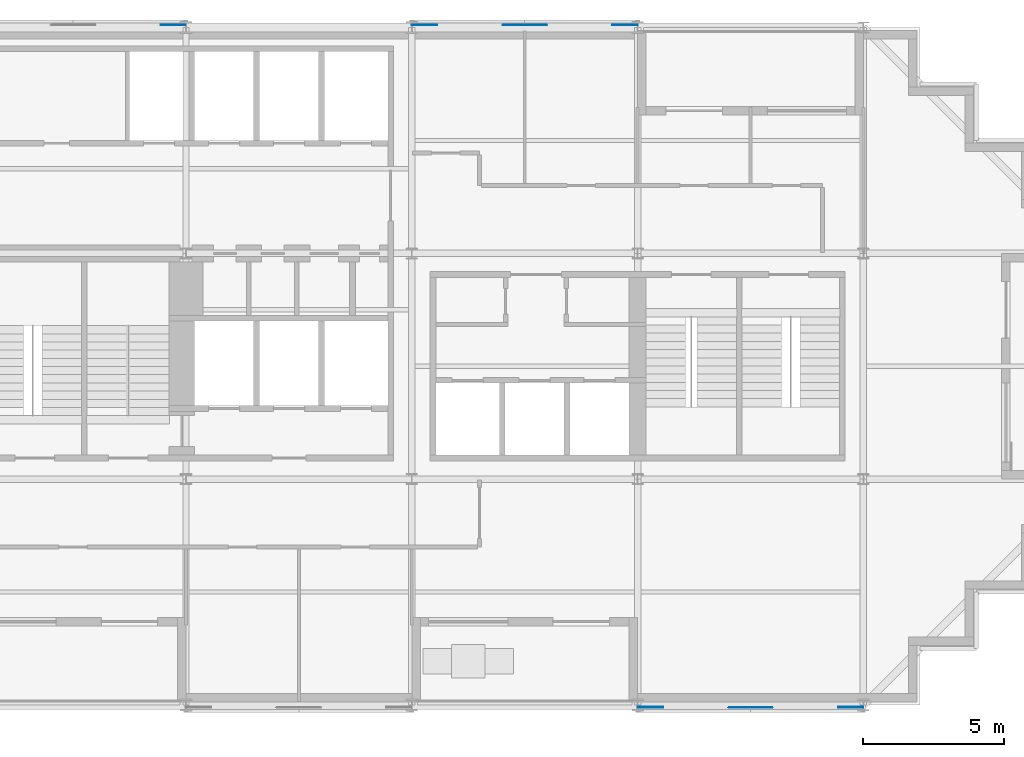
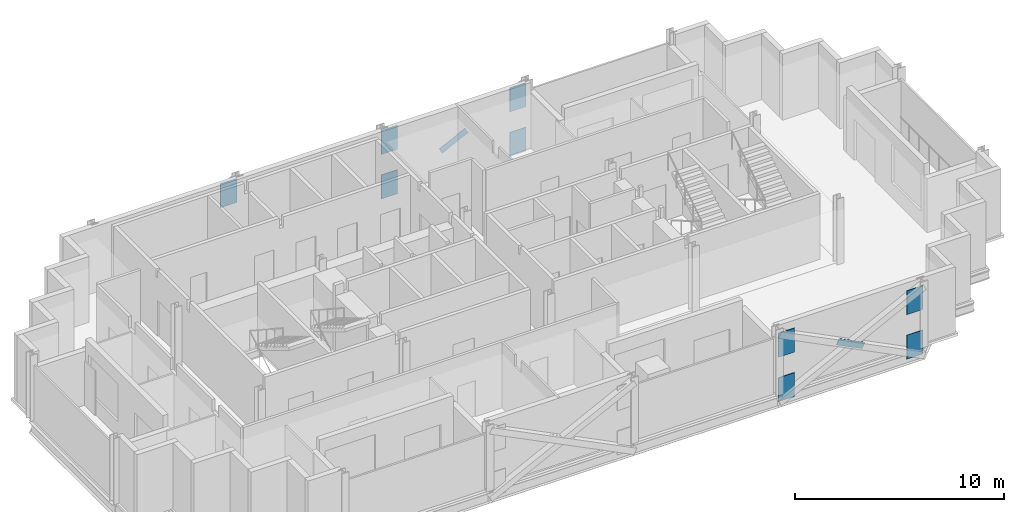
# One storey, part 6 of 8: 11 discrete accessories.
"""IFC4 building model written with IfcOpenShell, lengths in metres."""

import ifcopenshell
import ifcopenshell.guid

model = None  # the IFC model being written
_history = None  # IfcOwnerHistory: only IFC2X3 demands one
_inside = {}  # id of a spatial element -> (the spatial element, [elements in it])
_under = {}  # id of a project, library or spatial element -> (it, [spatial elements below it])
_declared = {}  # id of a project -> (the project, [libraries it declares])
_typed = {}  # id of a type object -> (the type object, [elements of that type])
_made_of = {}  # id of a material, layer set ... -> (it, [elements and type objects made of it])


def new_model(schema):
    """Start an empty IFC model of exactly this schema.

    Asked for "IFC4X3", IfcOpenShell would pick the latest addendum, in which some entities
    have other attributes; the version numbers below select the first issue.
    IFC2X3 requires an IfcOwnerHistory on every rooted entity: one is made here for all.
    """
    global model, _history
    if schema == "IFC4X3":
        model = ifcopenshell.file(schema_version=(4, 3, 0, 0))
    else:
        model = ifcopenshell.file(schema=schema)
    _inside.clear()
    _under.clear()
    _declared.clear()
    _typed.clear()
    _made_of.clear()
    _history = None
    if model.schema == "IFC2X3":
        org = make("IfcOrganization", Name="unknown")
        user = make(
            "IfcPersonAndOrganization",
            ThePerson=make("IfcPerson", FamilyName="unknown"),
            TheOrganization=org,
        )
        app = make(
            "IfcApplication",
            ApplicationDeveloper=org,
            Version="unknown",
            ApplicationFullName="unknown",
            ApplicationIdentifier="unknown",
        )
        _history = make(
            "IfcOwnerHistory",
            OwningUser=user,
            OwningApplication=app,
            ChangeAction="ADDED",
            CreationDate=0,
        )
    return model


def make(cls, **values):
    """One entity of the class cls with the attributes given. An attribute that is None is left unset."""
    return model.create_entity(
        cls, **{name: value for name, value in values.items() if value is not None}
    )


def rooted(cls, **values):
    """An entity with a GlobalId (a new one), such as an element, a storey or a relation."""
    return make(cls, GlobalId=ifcopenshell.guid.new(), OwnerHistory=_history, **values)


def si_unit(unit_type, name, prefix=None):
    """IfcSIUnit, for example si_unit("LENGTHUNIT", "METRE", prefix="MILLI")."""
    return make("IfcSIUnit", UnitType=unit_type, Prefix=prefix, Name=name)


def assignment(units):
    """IfcUnitAssignment: the units of a project."""
    return None if units is None else make("IfcUnitAssignment", Units=units)


def point(xyz):
    """IfcCartesianPoint."""
    return None if xyz is None else make("IfcCartesianPoint", Coordinates=xyz)


def direction(xyz):
    """IfcDirection."""
    return None if xyz is None else make("IfcDirection", DirectionRatios=xyz)


def frame(location, z_axis=None, x_axis=None):
    """IfcAxis2Placement3D, a coordinate frame: its origin and axes. An axis left out is left unset."""
    return make(
        "IfcAxis2Placement3D",
        Location=point(location),
        Axis=direction(z_axis),
        RefDirection=direction(x_axis),
    )


def frame_2d(location, x_axis=None):
    """IfcAxis2Placement2D, a coordinate frame in the plane: its origin and x axis."""
    return make(
        "IfcAxis2Placement2D", Location=point(location), RefDirection=direction(x_axis)
    )


def origin():
    """The frame at (0, 0, 0) with its axes left unset."""
    return frame((0.0, 0.0, 0.0))


def origin_2d():
    """The frame at (0, 0) in the plane with its x axis left unset."""
    return frame_2d((0.0, 0.0))


def place(relative_to, where):
    """IfcLocalPlacement: puts the frame where relative to a parent placement (None: the world)."""
    return make(
        "IfcLocalPlacement", PlacementRelTo=relative_to, RelativePlacement=where
    )


def context(
    kind, dimensions, precision=None, world=None, true_north=None, identifier=None
):
    """IfcGeometricRepresentationContext, for example the 3D "Model" context."""
    return make(
        "IfcGeometricRepresentationContext",
        ContextIdentifier=identifier,
        ContextType=kind,
        CoordinateSpaceDimension=dimensions,
        Precision=precision,
        WorldCoordinateSystem=world,
        TrueNorth=true_north,
    )


def subcontext(parent, identifier, kind, view, scale=None):
    """IfcGeometricRepresentationSubContext, for example "Body" below "Model"."""
    return make(
        "IfcGeometricRepresentationSubContext",
        ContextIdentifier=identifier,
        ContextType=kind,
        ParentContext=parent,
        TargetScale=scale,
        TargetView=view,
    )


def project(units=None, contexts=None):
    """IfcProject with its units and contexts."""
    return rooted(
        "IfcProject",
        Name="project",
        RepresentationContexts=contexts,
        UnitsInContext=assignment(units),
    )


def spatial(cls, under=None, at=None, **own):
    """A site, building, storey or space (cls), placed at a placement, below another one or the project."""
    s = rooted(cls, ObjectPlacement=at, **own)
    if under is not None:
        _under.setdefault(under.id(), (under, []))[1].append(s)
    return s


def profile(cls, at=None, kind="AREA", **sizes):
    """A parametric profile (cls). Its sizes go by their IFC names, for example OverallWidth=200.0."""
    return make(cls, ProfileType=kind, Position=at, **sizes)


def rectangle(**sizes):
    """IfcRectangleProfileDef."""
    return profile("IfcRectangleProfileDef", **sizes)


def extrude(swept, where, along, depth):
    """IfcExtrudedAreaSolid: the profile swept, set in the frame where, extruded along a direction by depth."""
    return make(
        "IfcExtrudedAreaSolid",
        SweptArea=swept,
        Position=where,
        ExtrudedDirection=direction(along),
        Depth=depth,
    )


def shape(context_of_items, identifier, shape_type, items):
    """IfcShapeRepresentation: the items that make up one representation, for example the "Body"."""
    return make(
        "IfcShapeRepresentation",
        ContextOfItems=context_of_items,
        RepresentationIdentifier=identifier,
        RepresentationType=shape_type,
        Items=items,
    )


def material(Name=None, Category=None):
    """IfcMaterial."""
    return make("IfcMaterial", Name=Name, Category=Category)


def material_profile(
    of_material, cross_section, Name=None, Category=None, Priority=None
):
    """IfcMaterialProfile: a cross section and its material."""
    return make(
        "IfcMaterialProfile",
        Name=Name,
        Material=of_material,
        Profile=cross_section,
        Priority=Priority,
        Category=Category,
    )


def profile_set(profiles, Name=None, composite=None):
    """IfcMaterialProfileSet."""
    return make(
        "IfcMaterialProfileSet",
        Name=Name,
        MaterialProfiles=profiles,
        CompositeProfile=composite,
    )


def made_of(thing, what):
    """Note that an element or type object is made of a material, layer set ...; save() writes the relation."""
    if what is not None:
        _made_of.setdefault(what.id(), (what, []))[1].append(thing)
    return thing


def type_object(cls, material=None, **own):
    """A type object (cls), such as IfcWallType, which elements share."""
    return made_of(rooted(cls, **own), material)


def element(
    cls,
    number,
    at=None,
    inside=None,
    cuts=None,
    type_object=None,
    material=None,
    context=None,
    identifier="Body",
    shape_type=None,
    held_by="IfcProductDefinitionShape",
    body=None,
    shapes=None,
    **own,
):
    """One element of the class cls, such as IfcWall. Its Tag is "e" and its number.

    at: its placement. inside: the storey or other place that contains it. cuts: it is an
    opening in that element (IfcRelVoidsElement). A single representation is given by context,
    identifier, shape_type and body (its items); several are given by shapes. held_by: the class
    of the entity that holds the representations. save() writes the other relations.
    """
    e = rooted(cls, Tag="e%d" % number, ObjectPlacement=at, **own)
    if body is not None:
        shapes = [shape(context, identifier, shape_type, body)]
    if shapes is not None:
        e.Representation = make(held_by, Representations=shapes)
    if inside is not None:
        _inside.setdefault(inside.id(), (inside, []))[1].append(e)
    if cuts is not None:
        rooted(
            "IfcRelVoidsElement", RelatingBuildingElement=cuts, RelatedOpeningElement=e
        )
    if type_object is not None:
        _typed.setdefault(type_object.id(), (type_object, []))[1].append(e)
    return made_of(e, material)


def aggregate(whole, parts):
    """IfcRelAggregates: a whole, such as a stair, and the parts it consists of."""
    return rooted("IfcRelAggregates", RelatingObject=whole, RelatedObjects=parts)


def save(model, path):
    """Write the relations noted so far, then the file.

    IfcRelAggregates (storeys below a building ...), IfcRelContainedInSpatialStructure (elements
    in a storey), IfcRelDefinesByType, IfcRelAssociatesMaterial and IfcRelDeclares: one each for
    every whole, place, type object, material and project.
    """
    for whole, parts in _under.values():
        aggregate(whole, parts)
    for where, things in _inside.values():
        rooted(
            "IfcRelContainedInSpatialStructure",
            RelatedElements=things,
            RelatingStructure=where,
        )
    for kind, things in _typed.values():
        rooted("IfcRelDefinesByType", RelatedObjects=things, RelatingType=kind)
    for what, things in _made_of.values():
        rooted("IfcRelAssociatesMaterial", RelatedObjects=things, RelatingMaterial=what)
    for by, libraries in _declared.values():
        rooted("IfcRelDeclares", RelatingContext=by, RelatedDefinitions=libraries)
    model.write(path)


model = new_model("IFC4")

# Units and contexts
model_context = context("Model", 3, precision=1e-05, world=origin(), true_north=direction((0.0, 1.0)))
body_context = subcontext(model_context, "Body", "Model", "MODEL_VIEW")
ifc_project = project(units=[si_unit("LENGTHUNIT", "METRE"), si_unit("AREAUNIT", "SQUARE_METRE"), si_unit("VOLUMEUNIT", "CUBIC_METRE"), si_unit("PLANEANGLEUNIT", "RADIAN"), si_unit("MASSUNIT", "GRAM", prefix="KILO")], contexts=[model_context])

# Site, building, storey
site_placement = place(None, origin())
site = spatial("IfcSite", under=ifc_project, at=site_placement, CompositionType="ELEMENT")
building_placement = place(site_placement, origin())
building = spatial("IfcBuilding", under=site, at=building_placement, Name="Immortelle Media Tower", CompositionType="ELEMENT")
storey_placement = place(building_placement, frame((0.0, 0.0, 201.0)))
storey = spatial("IfcBuildingStorey", under=building, at=storey_placement, Name="L42", CompositionType="ELEMENT", Elevation=201.0)

# Discrete accessories
ifc_material = material(Name="Steel ASTM A572 Gr 50", Category="steel")
ifc_material_profile_1 = material_profile(ifc_material, rectangle(XDim=0.02392578125, YDim=0.35595703125, at=origin_2d()), Name="PL 24 x 356")
ifc_profile_set_1 = profile_set([ifc_material_profile_1], Name="Steel ASTM A572 Gr 50")
discrete_accessory_type_1 = type_object("IfcDiscreteAccessoryType", Name="Crossing plate XP-BR5 1600 x 356 x 24", PredefinedType="USERDEFINED", material=ifc_profile_set_1)
for number, where, z_axis, x_axis, name in (
    (1, (28.715576171875, 24.087890625, 1.90185546875), (-0.894427191, 0.0, -0.4472135955), (0.0, -1.0, 0.0), "Crossing plate XP-BR5 of Brace D/4-5 A and Brace D/4-5 B"),
    (2, (35.284423828125, -0.087890625, 1.90185546875), (0.894427191, 0.0, -0.4472135955), (0.0, 1.0, 0.0), "Crossing plate XP-BR5 of Brace A/5-6 A and Brace A/5-6 B"),
):
    element("IfcDiscreteAccessory", number, at=place(storey_placement, frame(where, z_axis=z_axis, x_axis=x_axis)), inside=storey, type_object=discrete_accessory_type_1, Name=name, ObjectType="CROSSING PLATE", PredefinedType="USERDEFINED", context=body_context, shape_type="SweptSolid", body=[
        extrude(rectangle(XDim=0.02392578125, YDim=0.35595703125, at=origin_2d()), origin(), (0.0, 0.0, 1.0), 1.60009765625),
    ])
ifc_material_profile_2 = material_profile(ifc_material, rectangle(XDim=0.031982421875, YDim=1.39990234375, at=origin_2d()), Name="PL 32 x 1400")
ifc_profile_set_2 = profile_set([ifc_material_profile_2], Name="Steel ASTM A572 Gr 50")
discrete_accessory_type_2 = type_object("IfcDiscreteAccessoryType", Name="Gusset plate GP1 900 x 1400 x 32", PredefinedType="USERDEFINED", material=ifc_profile_set_2)
for number, where, z_axis, x_axis, name in (
    (3, (32.0, -0.087890625, 0.243896484375), (1.0, 0.0, 0.0), (0.0, 1.0, 0.0), "Gusset plate GP1, lower end of Brace A/5-6 A"),
    (4, (40.0, -0.087890625, 2.843994140625), (-1.0, 0.0, 0.0), (0.0, -1.0, 0.0), "Gusset plate GP1, upper end of Brace A/5-6 A"),
    (5, (40.0, -0.087890625, 0.243896484375), (-1.0, 0.0, 0.0), (0.0, -1.0, 0.0), "Gusset plate GP1, lower end of Brace A/5-6 B"),
    (6, (32.0, -0.087890625, 2.843994140625), (1.0, 0.0, 0.0), (0.0, 1.0, 0.0), "Gusset plate GP1, upper end of Brace A/5-6 B"),
    (7, (32.0, 24.087890625, 0.243896484375), (-1.0, 0.0, 0.0), (0.0, -1.0, 0.0), "Gusset plate GP1, lower end of Brace D/4-5 A"),
    (8, (24.0, 24.087890625, 2.843994140625), (1.0, 0.0, 0.0), (0.0, 1.0, 0.0), "Gusset plate GP1, upper end of Brace D/4-5 A"),
    (9, (24.0, 24.087890625, 0.243896484375), (1.0, 0.0, 0.0), (0.0, 1.0, 0.0), "Gusset plate GP1, lower end of Brace D/4-5 B"),
    (10, (32.0, 24.087890625, 2.843994140625), (-1.0, 0.0, 0.0), (0.0, -1.0, 0.0), "Gusset plate GP1, upper end of Brace D/4-5 B"),
    (11, (16.0, 24.087890625, 2.843994140625), (-1.0, 0.0, 0.0), (0.0, -1.0, 0.0), "Gusset plate GP1, upper end of Brace D/2-3 B"),
):
    element("IfcDiscreteAccessory", number, at=place(storey_placement, frame(where, z_axis=z_axis, x_axis=x_axis)), inside=storey, type_object=discrete_accessory_type_2, Name=name, ObjectType="GUSSET PLATE", PredefinedType="USERDEFINED", context=body_context, shape_type="SweptSolid", body=[
        extrude(rectangle(XDim=0.031982421875, YDim=1.39990234375, at=origin_2d()), origin(), (0.0, 0.0, 1.0), 0.89990234375),
    ])

save(model, "model.ifc")
